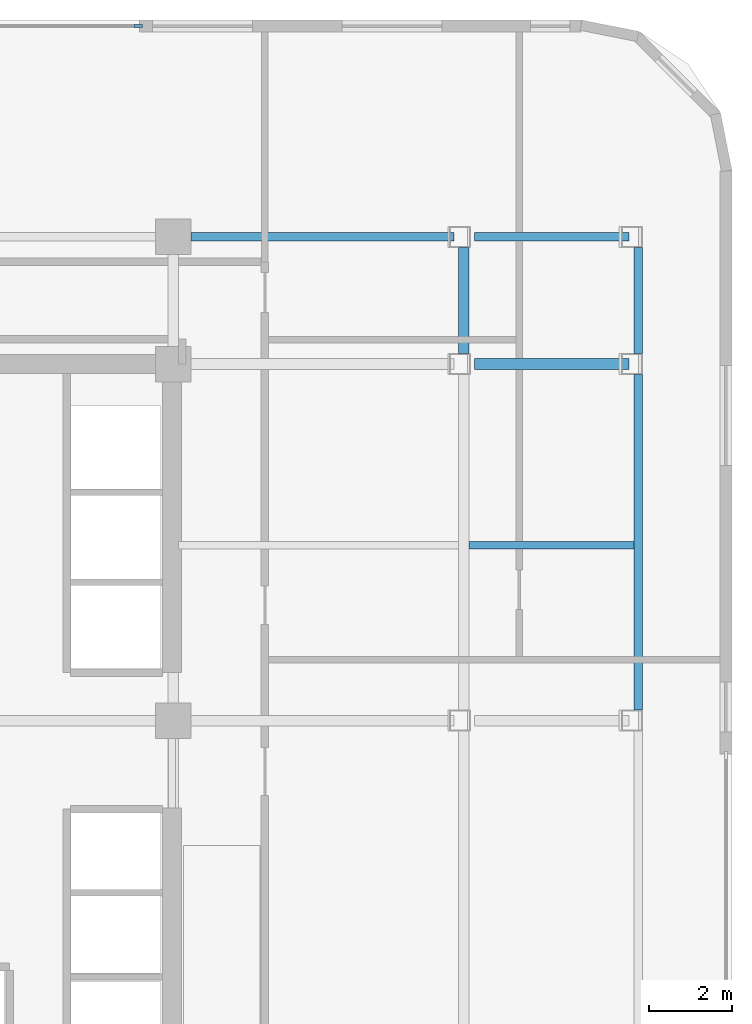
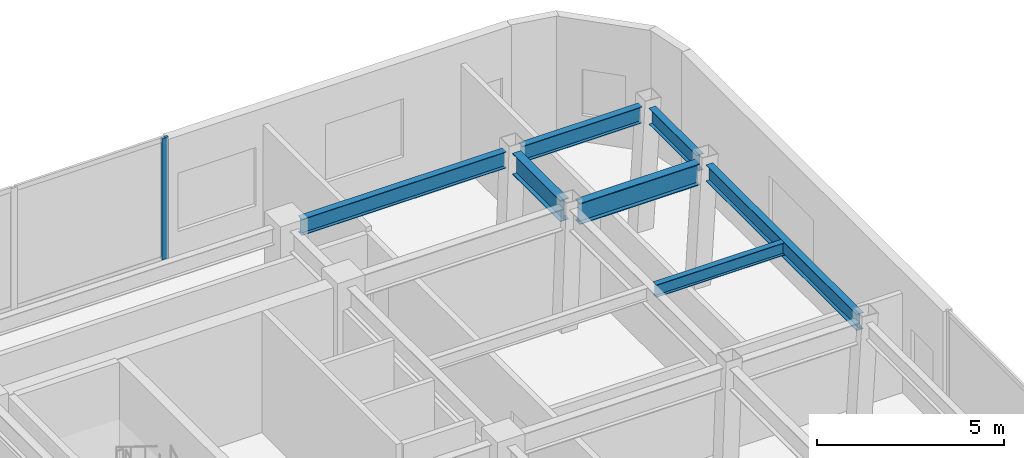
# One storey, part 7 of 13: 7 beams, 1 member, 1 element without a shape of its own.
"""IFC4 building model written with IfcOpenShell, lengths in metres."""

from ifc_helpers import new_model, si_unit, direction, frame, origin, origin_2d, place, context, subcontext, project, spatial, rectangle, i_section, extrude, material, layer, layer_set, material_profile, profile_set, type_object, element, aggregate, save


model = new_model("IFC4")

# Units and contexts
model_context = context("Model", 3, precision=1e-05, world=origin(), true_north=direction((0.0, 1.0)))
body_context = subcontext(model_context, "Body", "Model", "MODEL_VIEW")
ifc_project = project(units=[si_unit("LENGTHUNIT", "METRE"), si_unit("AREAUNIT", "SQUARE_METRE"), si_unit("VOLUMEUNIT", "CUBIC_METRE"), si_unit("PLANEANGLEUNIT", "RADIAN"), si_unit("MASSUNIT", "GRAM", prefix="KILO")], contexts=[model_context])

# Site, building, storey
site_placement = place(None, origin())
site = spatial("IfcSite", under=ifc_project, at=site_placement, CompositionType="ELEMENT")
building_placement = place(site_placement, origin())
building = spatial("IfcBuilding", under=site, at=building_placement, Name="Ochreholt Gables", CompositionType="ELEMENT")
storey_placement = place(building_placement, frame((0.0, 0.0, 60.0)))
storey = spatial("IfcBuildingStorey", under=building, at=storey_placement, Name="L15", CompositionType="ELEMENT", Elevation=60.0)

# Beams
ifc_material_1 = material(Name="Steel CSA G40.21 350W", Category="steel")
ifc_material_profile_1 = material_profile(ifc_material_1, i_section(OverallWidth=0.256103515625, OverallDepth=0.693115234375, WebThickness=0.014404296875, FlangeThickness=0.023681640625, at=origin_2d()), Name="W690X170")
ifc_profile_set_1 = profile_set([ifc_material_profile_1], Name="Steel CSA G40.21 350W")
beam_type_1 = type_object("IfcBeamType", Name="BM-G-W690", PredefinedType="BEAM", material=ifc_profile_set_1)
beam_1_placement = place(storey_placement, frame((42.4326171875, 38.75, 3.613525390625), z_axis=(1.0, 0.0, 0.0), x_axis=(0.0, 1.0, 0.0)))
element("IfcBeam", 1, at=beam_1_placement, inside=storey, type_object=beam_type_1, Name="L15 Beam TBG-L15-EMEE-Y5", PredefinedType="BEAM", context=body_context, shape_type="SweptSolid", body=[
    extrude(i_section(OverallWidth=0.256103515625, OverallDepth=0.693115234375, WebThickness=0.014404296875, FlangeThickness=0.023681640625, at=origin_2d()), origin(), (0.0, 0.0, 1.0), 3.6982421875),
])
beam_2_placement = place(storey_placement, frame((42.165771484375, 38.99951171875, 3.613525390625), z_axis=(0.0, 1.0, 0.0), x_axis=(-1.0, 0.0, 0.0)))
element("IfcBeam", 2, at=beam_2_placement, inside=storey, type_object=beam_type_1, Name="L15 Beam TBN-L15-EM-Y5Y6", PredefinedType="BEAM", context=body_context, shape_type="SweptSolid", body=[
    extrude(i_section(OverallWidth=0.256103515625, OverallDepth=0.693115234375, WebThickness=0.014404296875, FlangeThickness=0.023681640625, at=origin_2d()), origin(), (0.0, 0.0, 1.0), 2.55078125),
])
ifc_material_profile_2 = material_profile(ifc_material_1, i_section(OverallWidth=0.178955078125, OverallDepth=0.409912109375, WebThickness=0.0087890625, FlangeThickness=0.014404296875, at=origin_2d()), Name="W410X67")
ifc_profile_set_2 = profile_set([ifc_material_profile_2], Name="Steel CSA G40.21 350W")
beam_type_2 = type_object("IfcBeamType", Name="BM-J-W410", PredefinedType="JOIST", material=ifc_profile_set_2)
beam_3_placement = place(storey_placement, frame((42.29345703125, 34.39990234375, 3.7548828125), z_axis=(1.0, 0.0, 0.0), x_axis=(0.0, 1.0, 0.0)))
element("IfcBeam", 3, at=beam_3_placement, inside=storey, type_object=beam_type_2, Name="L15 Beam TBJ-L15-J2-EMEE", PredefinedType="JOIST", context=body_context, shape_type="SweptSolid", body=[
    extrude(i_section(OverallWidth=0.178955078125, OverallDepth=0.409912109375, WebThickness=0.0087890625, FlangeThickness=0.014404296875, at=origin_2d()), origin(), (0.0, 0.0, 1.0), 3.954345703125),
])
ifc_material_profile_3 = material_profile(ifc_material_1, i_section(OverallWidth=0.208984375, OverallDepth=0.532958984375, WebThickness=0.01025390625, FlangeThickness=0.015625, at=origin_2d()), Name="W530X92")
ifc_profile_set_3 = profile_set([ifc_material_profile_3], Name="Steel CSA G40.21 350W")
beam_type_3 = type_object("IfcBeamType", Name="BM-SP-W530B", PredefinedType="SPANDREL", material=ifc_profile_set_3)
beam_4_placement = place(storey_placement, frame((35.62451171875, 41.800048828125, 3.693603515625), z_axis=(1.0, 0.0, 0.0), x_axis=(0.0, 1.0, 0.0)))
element("IfcBeam", 4, at=beam_4_placement, inside=storey, type_object=beam_type_3, Name="L15 Beam TBG-L15-C2EM-Y6", PredefinedType="SPANDREL", context=body_context, shape_type="SweptSolid", body=[
    extrude(i_section(OverallWidth=0.208984375, OverallDepth=0.532958984375, WebThickness=0.01025390625, FlangeThickness=0.015625, at=origin_2d()), origin(), (0.0, 0.0, 1.0), 6.308837890625),
])
beam_5_placement = place(storey_placement, frame((42.4326171875, 41.800048828125, 3.693603515625), z_axis=(1.0, 0.0, 0.0), x_axis=(0.0, 1.0, 0.0)))
element("IfcBeam", 5, at=beam_5_placement, inside=storey, type_object=beam_type_3, Name="L15 Beam TBG-L15-EMEE-Y6", PredefinedType="SPANDREL", context=body_context, shape_type="SweptSolid", body=[
    extrude(i_section(OverallWidth=0.208984375, OverallDepth=0.532958984375, WebThickness=0.01025390625, FlangeThickness=0.015625, at=origin_2d()), origin(), (0.0, 0.0, 1.0), 3.6982421875),
])
beam_6_placement = place(storey_placement, frame((46.35205078125, 30.44970703125, 3.693603515625), z_axis=(0.0, 1.0, 0.0), x_axis=(-1.0, 0.0, 0.0)))
element("IfcBeam", 6, at=beam_6_placement, inside=storey, type_object=beam_type_3, Name="L15 Beam TBN-L15-EE-Y4Y5", PredefinedType="SPANDREL", context=body_context, shape_type="SweptSolid", body=[
    extrude(i_section(OverallWidth=0.208984375, OverallDepth=0.532958984375, WebThickness=0.01025390625, FlangeThickness=0.015625, at=origin_2d()), origin(), (0.0, 0.0, 1.0), 8.05078125),
])
beam_7_placement = place(storey_placement, frame((46.35205078125, 38.99951171875, 3.693603515625), z_axis=(0.0, 1.0, 0.0), x_axis=(-1.0, 0.0, 0.0)))
element("IfcBeam", 7, at=beam_7_placement, inside=storey, type_object=beam_type_3, Name="L15 Beam TBN-L15-EE-Y5Y6", PredefinedType="SPANDREL", context=body_context, shape_type="SweptSolid", body=[
    extrude(i_section(OverallWidth=0.208984375, OverallDepth=0.532958984375, WebThickness=0.01025390625, FlangeThickness=0.015625, at=origin_2d()), origin(), (0.0, 0.0, 1.0), 2.55078125),
])

# Curtain wall, member
ifc_material_2 = material(Name="Unitised Aluminium and Triple Glazing", Category="aluminium")
ifc_layer = layer(ifc_material_2, 0.219970703125, Name="Unitised Aluminium and Triple Glazing")
ifc_layer_set = layer_set([ifc_layer], Name="Unitised Aluminium and Triple Glazing")
curtain_wall_type = type_object("IfcCurtainWallType", Name="CW-SYS6", PredefinedType="NOTDEFINED", material=ifc_layer_set)
curtain_wall_placement = place(storey_placement, origin())
curtain_wall = element("IfcCurtainWall", 8, at=curtain_wall_placement, inside=storey, type_object=curtain_wall_type, Name="L15 North Unitised Curtain Wall", PredefinedType="NOTDEFINED")
ifc_material_3 = material(Name="Anodized Aluminium 6063-T6", Category="aluminium")
ifc_material_profile_4 = material_profile(ifc_material_3, rectangle(XDim=0.074951171875, YDim=0.199951171875, at=origin_2d()), Name="CWM75X200")
ifc_profile_set_4 = profile_set([ifc_material_profile_4], Name="Anodized Aluminium 6063-T6")
member_type = type_object("IfcMemberType", Name="CW-MUL-A", PredefinedType="MULLION", material=ifc_profile_set_4)
member_placement = place(storey_placement, frame((34.362548828125, 46.85498046875, 0.0), z_axis=(0.0, 0.0, 1.0), x_axis=(0.0, -1.0, 0.0)))
member = element("IfcMember", 9, at=member_placement, type_object=member_type, Name="CW-6 mullion 1", PredefinedType="MULLION", context=body_context, shape_type="SweptSolid", body=[
    extrude(rectangle(XDim=0.074951171875, YDim=0.199951171875, at=origin_2d()), origin(), (0.0, 0.0, 1.0), 3.9599609375),
])
aggregate(curtain_wall, [member])

save(model, "model.ifc")
